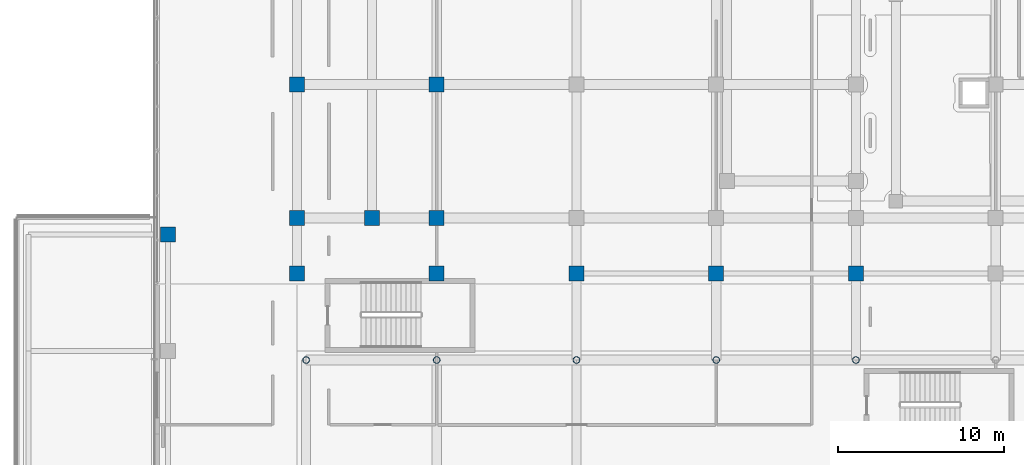
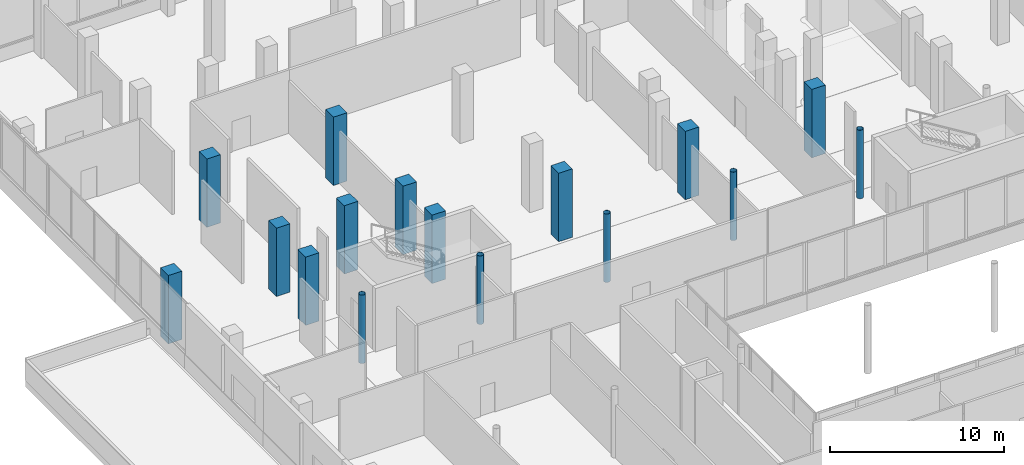
# One storey, part 7 of 168: 16 columns.
"""IFC4 building model written with IfcOpenShell, lengths in metres."""

from ifc_helpers import new_model, si_unit, direction, frame, origin, origin_2d, place, context, subcontext, project, spatial, rectangle, hollow_circle, extrude, material, material_profile, profile_set, type_object, element, save


model = new_model("IFC4")

# Units and contexts
model_context = context("Model", 3, precision=1e-05, world=origin(), true_north=direction((0.0, 1.0)))
body_context = subcontext(model_context, "Body", "Model", "MODEL_VIEW")
ifc_project = project(units=[si_unit("LENGTHUNIT", "METRE"), si_unit("AREAUNIT", "SQUARE_METRE"), si_unit("VOLUMEUNIT", "CUBIC_METRE"), si_unit("PLANEANGLEUNIT", "RADIAN"), si_unit("MASSUNIT", "GRAM", prefix="KILO")], contexts=[model_context])

# Site, building, storey
site_placement = place(None, origin())
site = spatial("IfcSite", under=ifc_project, at=site_placement, CompositionType="ELEMENT")
building_placement = place(site_placement, origin())
building = spatial("IfcBuilding", under=site, at=building_placement, Name="Selatvlak General Hospital", CompositionType="ELEMENT")
storey_placement = place(building_placement, frame((0.0, 0.0, 5.39990234375)))
storey = spatial("IfcBuildingStorey", under=building, at=storey_placement, Name="L01", CompositionType="ELEMENT", Elevation=5.39990234375)

# Columns
ifc_material_1 = material(Name="Steel S355", Category="steel")
ifc_material_profile_1 = material_profile(ifc_material_1, hollow_circle(Radius=0.203125, WallThickness=0.01611328125, at=origin_2d()), Name="CHS 406.4x16")
ifc_profile_set_1 = profile_set([ifc_material_profile_1], Name="Steel S355")
column_type_1 = type_object("IfcColumnType", Name="COL-CHS406", PredefinedType="COLUMN", material=ifc_profile_set_1)
for number, where, z_axis, x_axis, name in (
    (1, (23.35009765625, 83.449951171875, 0.0), (0.0, 0.0, 1.0), (1.0, 0.0, 0.0), "Column 003 on L01"),
    (2, (31.199951171875, 83.449951171875, 0.0), (0.0, 0.0, 1.0), (1.0, 0.0, 0.0), "Column 006 on L01"),
    (3, (39.60009765625, 83.449951171875, 0.0), (0.0, 0.0, 1.0), (1.0, 0.0, 0.0), "Column 009 on L01"),
    (4, (48.0, 83.449951171875, 0.0), (0.0, 0.0, 1.0), (1.0, 0.0, 0.0), "Column 012 on L01"),
    (5, (56.39990234375, 83.449951171875, 0.0), (0.0, 0.0, 1.0), (1.0, 0.0, 0.0), "Column 015 on L01"),
):
    element("IfcColumn", number, at=place(storey_placement, frame(where, z_axis=z_axis, x_axis=x_axis)), inside=storey, type_object=column_type_1, Name=name, PredefinedType="COLUMN", context=body_context, shape_type="SweptSolid", body=[
        extrude(hollow_circle(Radius=0.203125, WallThickness=0.01611328125, at=origin_2d()), origin(), (0.0, 0.0, 1.0), 4.800048828125),
    ])
ifc_material_2 = material(Name="Concrete C50/60", Category="concrete")
ifc_material_profile_2 = material_profile(ifc_material_2, rectangle(XDim=0.89990234375, YDim=0.89990234375, at=origin_2d()), Name="RC-COL 900x900")
ifc_profile_set_2 = profile_set([ifc_material_profile_2], Name="Concrete C50/60")
column_type_2 = type_object("IfcColumnType", Name="COL-RC90", PredefinedType="COLUMN", material=ifc_profile_set_2)
for number, where, z_axis, x_axis, name in (
    (6, (15.050048828125, 91.0, 0.0), (0.0, 0.0, 1.0), (1.0, 0.0, 0.0), "Column 070 on L01"),
    (7, (27.300048828125, 92.0, 0.0), (0.0, 0.0, 1.0), (1.0, 0.0, 0.0), "Column 111 on L01"),
    (8, (22.800048828125, 88.64990234375, 0.0), (0.0, 0.0, 1.0), (1.0, 0.0, 0.0), "Column 158 on L01"),
    (9, (22.800048828125, 92.0, 0.0), (0.0, 0.0, 1.0), (1.0, 0.0, 0.0), "Column 159 on L01"),
    (10, (22.800048828125, 100.0, 0.0), (0.0, 0.0, 1.0), (1.0, 0.0, 0.0), "Column 160 on L01"),
    (11, (31.199951171875, 88.64990234375, 0.0), (0.0, 0.0, 1.0), (1.0, 0.0, 0.0), "Column 164 on L01"),
    (12, (31.199951171875, 92.0, 0.0), (0.0, 0.0, 1.0), (1.0, 0.0, 0.0), "Column 165 on L01"),
    (13, (31.199951171875, 100.0, 0.0), (0.0, 0.0, 1.0), (1.0, 0.0, 0.0), "Column 166 on L01"),
    (14, (39.60009765625, 88.64990234375, 0.0), (0.0, 0.0, 1.0), (1.0, 0.0, 0.0), "Column 170 on L01"),
    (15, (48.0, 88.64990234375, 0.0), (0.0, 0.0, 1.0), (1.0, 0.0, 0.0), "Column 177 on L01"),
    (16, (56.39990234375, 88.64990234375, 0.0), (0.0, 0.0, 1.0), (1.0, 0.0, 0.0), "Column 181 on L01"),
):
    element("IfcColumn", number, at=place(storey_placement, frame(where, z_axis=z_axis, x_axis=x_axis)), inside=storey, type_object=column_type_2, Name=name, PredefinedType="COLUMN", context=body_context, shape_type="SweptSolid", body=[
        extrude(rectangle(XDim=0.89990234375, YDim=0.89990234375, at=origin_2d()), origin(), (0.0, 0.0, 1.0), 4.800048828125),
    ])

save(model, "model.ifc")
